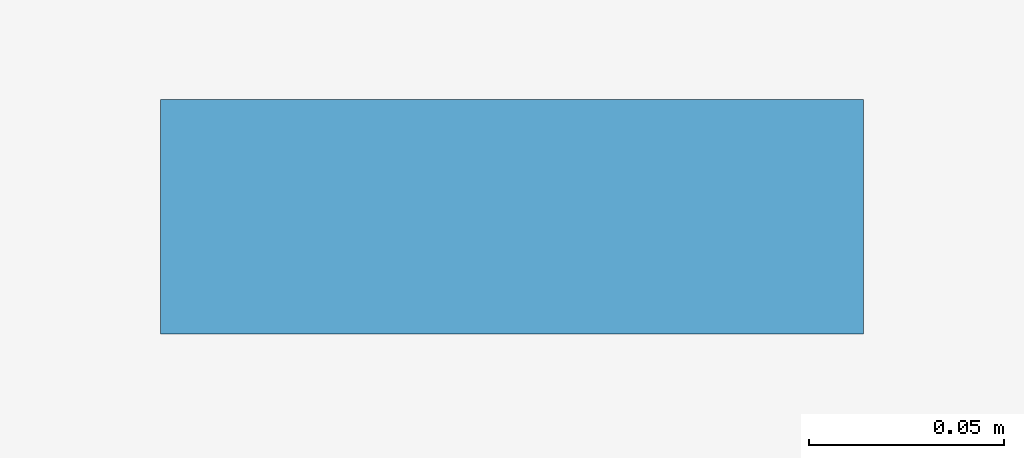
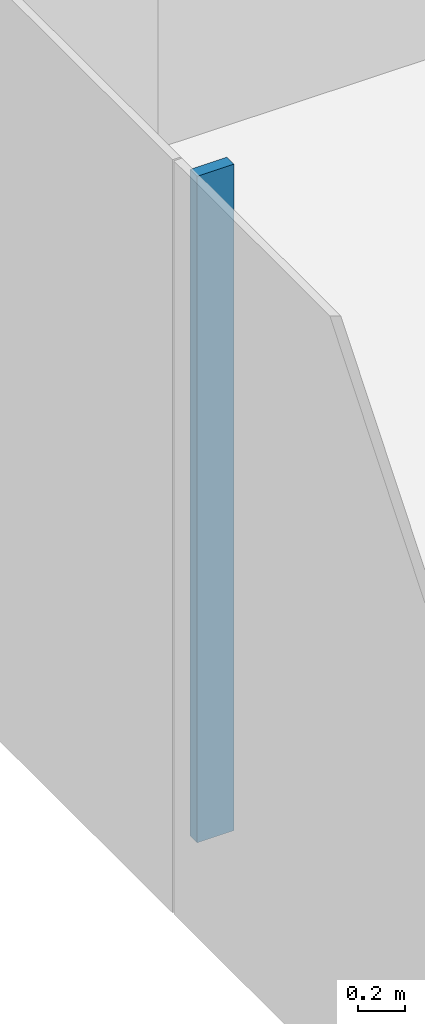
# One storey, part 4 of 21: 1 member, 1 element without a shape of its own.
"""IFC4 building model written with IfcOpenShell, lengths in metres."""

from ifc_helpers import new_model, si_unit, direction, frame, origin, origin_2d, place, context, subcontext, project, spatial, rectangle, extrude, material, layer, layer_set, material_profile, profile_set, type_object, element, aggregate, save


model = new_model("IFC4")

# Units and contexts
model_context = context("Model", 3, precision=1e-05, world=origin(), true_north=direction((0.0, 1.0)))
body_context = subcontext(model_context, "Body", "Model", "MODEL_VIEW")
ifc_project = project(units=[si_unit("LENGTHUNIT", "METRE"), si_unit("AREAUNIT", "SQUARE_METRE"), si_unit("VOLUMEUNIT", "CUBIC_METRE"), si_unit("PLANEANGLEUNIT", "RADIAN"), si_unit("MASSUNIT", "GRAM", prefix="KILO")], contexts=[model_context])

# Site, building, storey
site_placement = place(None, origin())
site = spatial("IfcSite", under=ifc_project, at=site_placement, CompositionType="ELEMENT")
building_placement = place(site_placement, origin())
building = spatial("IfcBuilding", under=site, at=building_placement, Name="Shamsa Quay Exchange Towers", CompositionType="ELEMENT")
storey_placement = place(building_placement, frame((0.0, 0.0, 53.699951171875)))
storey = spatial("IfcBuildingStorey", under=building, at=storey_placement, Name="L11", CompositionType="ELEMENT", Elevation=53.699951171875)

# Curtain wall, member
ifc_material = material(Name="Aluminium EN AW-6063 T6, black anodised", Category="aluminium")
ifc_layer = layer(ifc_material, 0.280029296875)
ifc_layer_set = layer_set([ifc_layer], Name="CW-1 UNITISED VISION GLASS")
curtain_wall_type = type_object("IfcCurtainWallType", Name="CW-1 UNITISED VISION GLASS", PredefinedType="NOTDEFINED", material=ifc_layer_set)
curtain_wall_placement = place(storey_placement, origin())
curtain_wall = element("IfcCurtainWall", 1, at=curtain_wall_placement, inside=storey, type_object=curtain_wall_type, Name="CW1 T1-END-U- L11", PredefinedType="NOTDEFINED")
ifc_material_profile = material_profile(ifc_material, rectangle(XDim=0.179931640625, YDim=0.06005859375, at=origin_2d()), Name="MU60x180")
ifc_profile_set = profile_set([ifc_material_profile], Name="Aluminium EN AW-6063 T6, black anodised")
member_type = type_object("IfcMemberType", Name="CW1 MULLION 60x180", PredefinedType="MULLION", material=ifc_profile_set)
member_placement = place(storey_placement, frame((-62.85009765625, 2.25, 0.0)))
member = element("IfcMember", 2, at=member_placement, type_object=member_type, Name="CW1 mullion", PredefinedType="MULLION", context=body_context, shape_type="SweptSolid", body=[
    extrude(rectangle(XDim=0.179931640625, YDim=0.06005859375, at=origin_2d()), origin(), (0.0, 0.0, 1.0), 3.449951171875),
])
aggregate(curtain_wall, [member])

save(model, "model.ifc")
